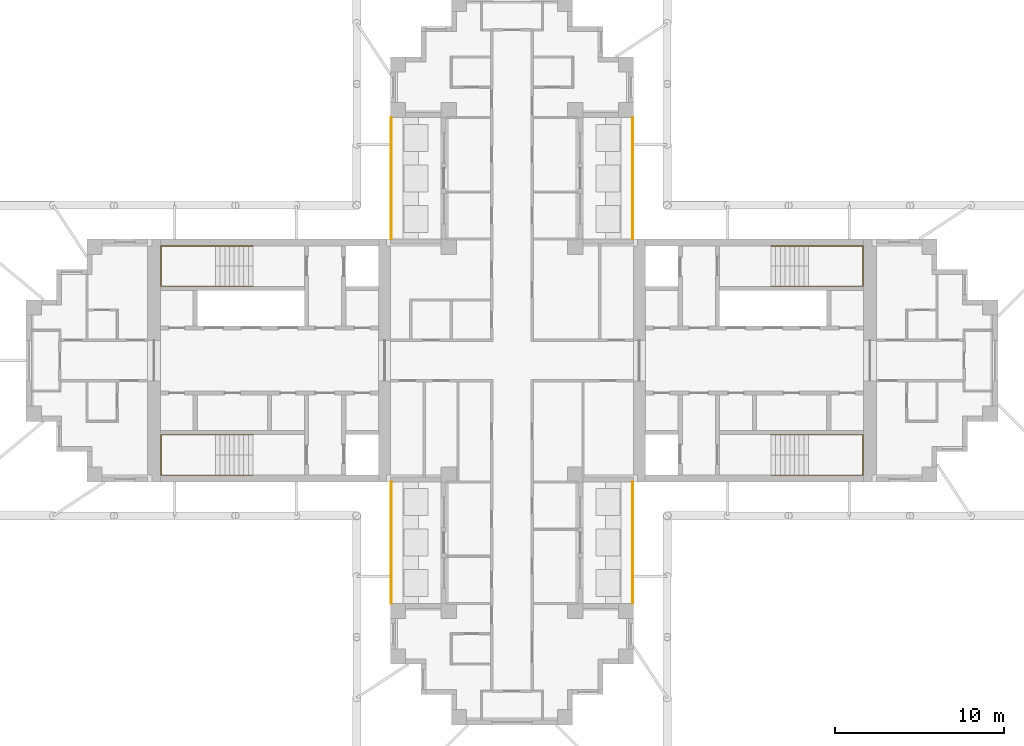
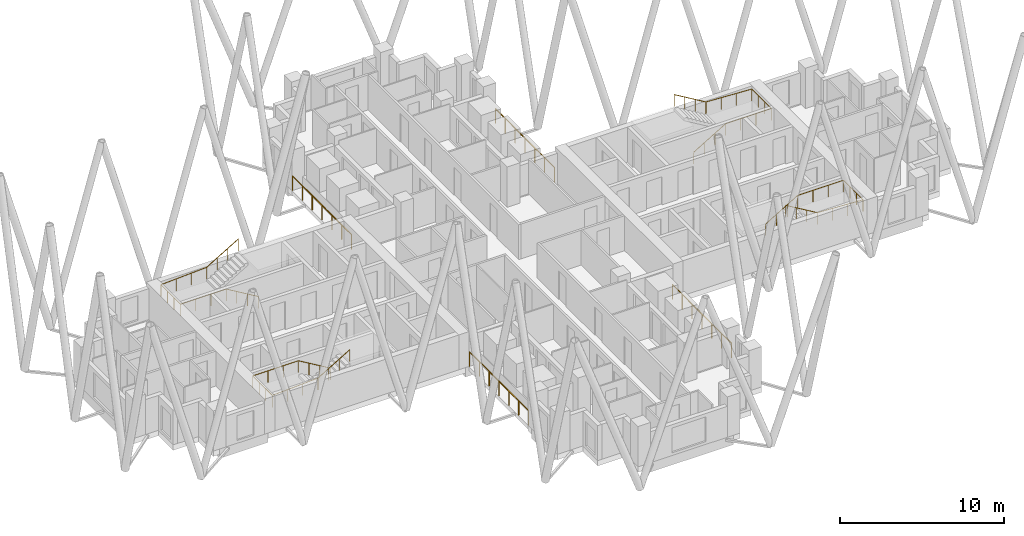
# One storey, part 10 of 11: 8 railings.
"""IFC4 building model written with IfcOpenShell, lengths in metres."""

from ifc_helpers import new_model, si_unit, direction, frame, origin, origin_2d, place, context, subcontext, project, spatial, circle, extrude, material, type_object, element, save


model = new_model("IFC4")

# Units and contexts
model_context = context("Model", 3, precision=1e-05, world=origin(), true_north=direction((0.0, 1.0)))
body_context = subcontext(model_context, "Body", "Model", "MODEL_VIEW")
ifc_project = project(units=[si_unit("LENGTHUNIT", "METRE"), si_unit("AREAUNIT", "SQUARE_METRE"), si_unit("VOLUMEUNIT", "CUBIC_METRE"), si_unit("PLANEANGLEUNIT", "RADIAN"), si_unit("MASSUNIT", "GRAM", prefix="KILO")], contexts=[model_context])

# Site, building, storey
site_placement = place(None, origin())
site = spatial("IfcSite", under=ifc_project, at=site_placement, CompositionType="ELEMENT")
building_placement = place(site_placement, origin())
building = spatial("IfcBuilding", under=site, at=building_placement, Name="Fustian Cross Tower", CompositionType="ELEMENT")
storey_placement = place(building_placement, frame((0.0, 0.0, 234.89990234375)))
storey = spatial("IfcBuildingStorey", under=building, at=storey_placement, Name="L74", CompositionType="ELEMENT", Elevation=234.89990234375)

# Railings
ifc_material_1 = material(Name="Stainless steel and glass", Category="steel")
railing_type_1 = type_object("IfcRailingType", Name="GR1 BALCONY GUARD 1100", PredefinedType="GUARDRAIL", material=ifc_material_1)
for number, where, name in (
    (1, (7.14990234375, 7.199951171875, 0.0), "Balcony guard"),
    (2, (-7.14990234375, 7.199951171875, 0.0), "Balcony guard"),
    (3, (7.14990234375, -14.39990234375, 0.0), "Balcony guard"),
    (4, (-7.14990234375, -14.39990234375, 0.0), "Balcony guard"),
):
    element("IfcRailing", number, at=place(storey_placement, frame(where)), inside=storey, type_object=railing_type_1, Name=name, PredefinedType="GUARDRAIL", context=body_context, shape_type="SweptSolid", body=[
        extrude(circle(Radius=0.02392578125, at=origin_2d()), frame((0.0, 0.0, 1.076171875), z_axis=(0.0, 1.0, 0.0), x_axis=(-1.0, 0.0, 0.0)), (0.0, 0.0, 1.0), 7.199951171875),
        extrude(circle(Radius=0.02099609375, at=origin_2d()), origin(), (0.0, 0.0, 1.0), 1.052001953125),
        extrude(circle(Radius=0.02099609375, at=origin_2d()), frame((0.0, 1.199951171875, 0.0)), (0.0, 0.0, 1.0), 1.052001953125),
        extrude(circle(Radius=0.02099609375, at=origin_2d()), frame((0.0, 2.39990234375, 0.0)), (0.0, 0.0, 1.0), 1.052001953125),
        extrude(circle(Radius=0.02099609375, at=origin_2d()), frame((0.0, 3.60009765625, 0.0)), (0.0, 0.0, 1.0), 1.052001953125),
        extrude(circle(Radius=0.02099609375, at=origin_2d()), frame((0.0, 4.800048828125, 0.0)), (0.0, 0.0, 1.0), 1.052001953125),
        extrude(circle(Radius=0.02099609375, at=origin_2d()), frame((0.0, 6.0, 0.0)), (0.0, 0.0, 1.0), 1.052001953125),
        extrude(circle(Radius=0.02099609375, at=origin_2d()), frame((0.0, 7.199951171875, 0.0)), (0.0, 0.0, 1.0), 1.052001953125),
    ])
ifc_material_2 = material(Name="Stainless steel", Category="steel")
railing_type_2 = type_object("IfcRailingType", Name="STAIR HANDRAIL", PredefinedType="HANDRAIL", material=ifc_material_2)
railing_1_placement = place(storey_placement, frame((15.35009765625, 4.39990234375, 0.166748046875)))
element("IfcRailing", 5, at=railing_1_placement, inside=storey, type_object=railing_type_2, Name="Stair ST1 handrail 1", PredefinedType="HANDRAIL", context=body_context, shape_type="SweptSolid", body=[
    extrude(circle(Radius=0.02490234375, at=origin_2d()), frame((0.0, 0.0, 0.875), z_axis=(0.859305625298, 0.0, 0.511462454469), x_axis=(0.0, 1.0, 0.0)), (0.0, 0.0, 1.0), 2.606689453125),
    extrude(circle(Radius=0.02490234375, at=origin_2d()), frame((2.239990234375, 0.0, 2.2080078125), z_axis=(1.0, 0.0, 0.0), x_axis=(0.0, 1.0, 0.0)), (0.0, 0.0, 1.0), 3.219970703125),
    extrude(circle(Radius=0.02490234375, at=origin_2d()), frame((5.4599609375, 0.0, 2.2080078125), z_axis=(0.0, 1.0, 0.0), x_axis=(-1.0, 0.0, 0.0)), (0.0, 0.0, 1.0), 2.400146484375),
    extrude(circle(Radius=0.02490234375, at=origin_2d()), frame((5.4599609375, 2.400146484375, 2.2080078125), z_axis=(-0.998661817807, 0.0, 0.051716280352), x_axis=(0.0, -1.0, 0.0)), (0.0, 0.0, 1.0), 3.224365234375),
    extrude(circle(Radius=0.02490234375, at=origin_2d()), frame((2.239990234375, 2.400146484375, 2.375), z_axis=(-0.859305625298, 0.0, 0.511462454469), x_axis=(0.0, -1.0, 0.0)), (0.0, 0.0, 1.0), 2.606689453125),
    extrude(circle(Radius=0.02001953125, at=origin_2d()), origin(), (0.0, 0.0, 1.0), 0.849853515625),
    extrude(circle(Radius=0.02001953125, at=origin_2d()), frame((0.74658203125, 0.0, 0.4443359375)), (0.0, 0.0, 1.0), 0.849853515625),
    extrude(circle(Radius=0.02001953125, at=origin_2d()), frame((1.493408203125, 0.0, 0.888916015625)), (0.0, 0.0, 1.0), 0.849853515625),
    extrude(circle(Radius=0.02001953125, at=origin_2d()), frame((2.239990234375, 0.0, 1.333251953125)), (0.0, 0.0, 1.0), 0.849853515625),
    extrude(circle(Radius=0.02001953125, at=origin_2d()), frame((3.313232421875, 0.0, 1.333251953125)), (0.0, 0.0, 1.0), 0.849853515625),
    extrude(circle(Radius=0.02001953125, at=origin_2d()), frame((4.38671875, 0.0, 1.333251953125)), (0.0, 0.0, 1.0), 0.849853515625),
    extrude(circle(Radius=0.02001953125, at=origin_2d()), frame((5.4599609375, 0.0, 1.333251953125)), (0.0, 0.0, 1.0), 0.849853515625),
    extrude(circle(Radius=0.02001953125, at=origin_2d()), frame((5.4599609375, 0.800048828125, 1.333251953125)), (0.0, 0.0, 1.0), 0.849853515625),
    extrude(circle(Radius=0.02001953125, at=origin_2d()), frame((5.4599609375, 1.60009765625, 1.333251953125)), (0.0, 0.0, 1.0), 0.849853515625),
    extrude(circle(Radius=0.02001953125, at=origin_2d()), frame((5.4599609375, 2.400146484375, 1.333251953125)), (0.0, 0.0, 1.0), 0.849853515625),
    extrude(circle(Radius=0.02001953125, at=origin_2d()), frame((4.38671875, 2.400146484375, 1.388916015625)), (0.0, 0.0, 1.0), 0.849853515625),
    extrude(circle(Radius=0.02001953125, at=origin_2d()), frame((3.313232421875, 2.400146484375, 1.4443359375)), (0.0, 0.0, 1.0), 0.849853515625),
    extrude(circle(Radius=0.02001953125, at=origin_2d()), frame((2.239990234375, 2.400146484375, 1.5)), (0.0, 0.0, 1.0), 0.849853515625),
    extrude(circle(Radius=0.02001953125, at=origin_2d()), frame((1.493408203125, 2.400146484375, 1.9443359375)), (0.0, 0.0, 1.0), 0.849853515625),
    extrude(circle(Radius=0.02001953125, at=origin_2d()), frame((0.74658203125, 2.400146484375, 2.388916015625)), (0.0, 0.0, 1.0), 0.849853515625),
    extrude(circle(Radius=0.02001953125, at=origin_2d()), frame((0.0, 2.400146484375, 2.833251953125)), (0.0, 0.0, 1.0), 0.849853515625),
])
railing_2_placement = place(storey_placement, frame((15.35009765625, -4.39990234375, 0.166748046875)))
element("IfcRailing", 6, at=railing_2_placement, inside=storey, type_object=railing_type_2, Name="Stair ST2 handrail 1", PredefinedType="HANDRAIL", context=body_context, shape_type="SweptSolid", body=[
    extrude(circle(Radius=0.02490234375, at=origin_2d()), frame((0.0, 0.0, 0.875), z_axis=(0.859305625298, 0.0, 0.511462454469), x_axis=(0.0, 1.0, 0.0)), (0.0, 0.0, 1.0), 2.606689453125),
    extrude(circle(Radius=0.02490234375, at=origin_2d()), frame((2.239990234375, 0.0, 2.2080078125), z_axis=(1.0, 0.0, 0.0), x_axis=(0.0, 1.0, 0.0)), (0.0, 0.0, 1.0), 3.219970703125),
    extrude(circle(Radius=0.02490234375, at=origin_2d()), frame((5.4599609375, 0.0, 2.2080078125), z_axis=(0.0, -1.0, 0.0), x_axis=(1.0, 0.0, 0.0)), (0.0, 0.0, 1.0), 2.400146484375),
    extrude(circle(Radius=0.02490234375, at=origin_2d()), frame((5.4599609375, -2.400146484375, 2.2080078125), z_axis=(-0.998661817807, 0.0, 0.051716280352), x_axis=(0.0, -1.0, 0.0)), (0.0, 0.0, 1.0), 3.224365234375),
    extrude(circle(Radius=0.02490234375, at=origin_2d()), frame((2.239990234375, -2.400146484375, 2.375), z_axis=(-0.859305625298, 0.0, 0.511462454469), x_axis=(0.0, -1.0, 0.0)), (0.0, 0.0, 1.0), 2.606689453125),
    extrude(circle(Radius=0.02001953125, at=origin_2d()), origin(), (0.0, 0.0, 1.0), 0.849853515625),
    extrude(circle(Radius=0.02001953125, at=origin_2d()), frame((0.74658203125, 0.0, 0.4443359375)), (0.0, 0.0, 1.0), 0.849853515625),
    extrude(circle(Radius=0.02001953125, at=origin_2d()), frame((1.493408203125, 0.0, 0.888916015625)), (0.0, 0.0, 1.0), 0.849853515625),
    extrude(circle(Radius=0.02001953125, at=origin_2d()), frame((2.239990234375, 0.0, 1.333251953125)), (0.0, 0.0, 1.0), 0.849853515625),
    extrude(circle(Radius=0.02001953125, at=origin_2d()), frame((3.313232421875, 0.0, 1.333251953125)), (0.0, 0.0, 1.0), 0.849853515625),
    extrude(circle(Radius=0.02001953125, at=origin_2d()), frame((4.38671875, 0.0, 1.333251953125)), (0.0, 0.0, 1.0), 0.849853515625),
    extrude(circle(Radius=0.02001953125, at=origin_2d()), frame((5.4599609375, 0.0, 1.333251953125)), (0.0, 0.0, 1.0), 0.849853515625),
    extrude(circle(Radius=0.02001953125, at=origin_2d()), frame((5.4599609375, -0.800048828125, 1.333251953125)), (0.0, 0.0, 1.0), 0.849853515625),
    extrude(circle(Radius=0.02001953125, at=origin_2d()), frame((5.4599609375, -1.60009765625, 1.333251953125)), (0.0, 0.0, 1.0), 0.849853515625),
    extrude(circle(Radius=0.02001953125, at=origin_2d()), frame((5.4599609375, -2.400146484375, 1.333251953125)), (0.0, 0.0, 1.0), 0.849853515625),
    extrude(circle(Radius=0.02001953125, at=origin_2d()), frame((4.38671875, -2.400146484375, 1.388916015625)), (0.0, 0.0, 1.0), 0.849853515625),
    extrude(circle(Radius=0.02001953125, at=origin_2d()), frame((3.313232421875, -2.400146484375, 1.4443359375)), (0.0, 0.0, 1.0), 0.849853515625),
    extrude(circle(Radius=0.02001953125, at=origin_2d()), frame((2.239990234375, -2.400146484375, 1.5)), (0.0, 0.0, 1.0), 0.849853515625),
    extrude(circle(Radius=0.02001953125, at=origin_2d()), frame((1.493408203125, -2.400146484375, 1.9443359375)), (0.0, 0.0, 1.0), 0.849853515625),
    extrude(circle(Radius=0.02001953125, at=origin_2d()), frame((0.74658203125, -2.400146484375, 2.388916015625)), (0.0, 0.0, 1.0), 0.849853515625),
    extrude(circle(Radius=0.02001953125, at=origin_2d()), frame((0.0, -2.400146484375, 2.833251953125)), (0.0, 0.0, 1.0), 0.849853515625),
])
railing_3_placement = place(storey_placement, frame((-15.35009765625, 4.39990234375, 0.166748046875)))
element("IfcRailing", 7, at=railing_3_placement, inside=storey, type_object=railing_type_2, Name="Stair ST3 handrail 1", PredefinedType="HANDRAIL", context=body_context, shape_type="SweptSolid", body=[
    extrude(circle(Radius=0.02490234375, at=origin_2d()), frame((0.0, 0.0, 0.875), z_axis=(-0.859305625298, 0.0, 0.511462454469), x_axis=(0.0, -1.0, 0.0)), (0.0, 0.0, 1.0), 2.606689453125),
    extrude(circle(Radius=0.02490234375, at=origin_2d()), frame((-2.239990234375, 0.0, 2.2080078125), z_axis=(-1.0, 0.0, 0.0), x_axis=(0.0, -1.0, 0.0)), (0.0, 0.0, 1.0), 3.219970703125),
    extrude(circle(Radius=0.02490234375, at=origin_2d()), frame((-5.4599609375, 0.0, 2.2080078125), z_axis=(0.0, 1.0, 0.0), x_axis=(-1.0, 0.0, 0.0)), (0.0, 0.0, 1.0), 2.400146484375),
    extrude(circle(Radius=0.02490234375, at=origin_2d()), frame((-5.4599609375, 2.400146484375, 2.2080078125), z_axis=(0.998661817807, 0.0, 0.051716280352), x_axis=(0.0, 1.0, 0.0)), (0.0, 0.0, 1.0), 3.224365234375),
    extrude(circle(Radius=0.02490234375, at=origin_2d()), frame((-2.239990234375, 2.400146484375, 2.375), z_axis=(0.859305625298, 0.0, 0.511462454469), x_axis=(0.0, 1.0, 0.0)), (0.0, 0.0, 1.0), 2.606689453125),
    extrude(circle(Radius=0.02001953125, at=origin_2d()), origin(), (0.0, 0.0, 1.0), 0.849853515625),
    extrude(circle(Radius=0.02001953125, at=origin_2d()), frame((-0.74658203125, 0.0, 0.4443359375)), (0.0, 0.0, 1.0), 0.849853515625),
    extrude(circle(Radius=0.02001953125, at=origin_2d()), frame((-1.493408203125, 0.0, 0.888916015625)), (0.0, 0.0, 1.0), 0.849853515625),
    extrude(circle(Radius=0.02001953125, at=origin_2d()), frame((-2.239990234375, 0.0, 1.333251953125)), (0.0, 0.0, 1.0), 0.849853515625),
    extrude(circle(Radius=0.02001953125, at=origin_2d()), frame((-3.313232421875, 0.0, 1.333251953125)), (0.0, 0.0, 1.0), 0.849853515625),
    extrude(circle(Radius=0.02001953125, at=origin_2d()), frame((-4.38671875, 0.0, 1.333251953125)), (0.0, 0.0, 1.0), 0.849853515625),
    extrude(circle(Radius=0.02001953125, at=origin_2d()), frame((-5.4599609375, 0.0, 1.333251953125)), (0.0, 0.0, 1.0), 0.849853515625),
    extrude(circle(Radius=0.02001953125, at=origin_2d()), frame((-5.4599609375, 0.800048828125, 1.333251953125)), (0.0, 0.0, 1.0), 0.849853515625),
    extrude(circle(Radius=0.02001953125, at=origin_2d()), frame((-5.4599609375, 1.60009765625, 1.333251953125)), (0.0, 0.0, 1.0), 0.849853515625),
    extrude(circle(Radius=0.02001953125, at=origin_2d()), frame((-5.4599609375, 2.400146484375, 1.333251953125)), (0.0, 0.0, 1.0), 0.849853515625),
    extrude(circle(Radius=0.02001953125, at=origin_2d()), frame((-4.38671875, 2.400146484375, 1.388916015625)), (0.0, 0.0, 1.0), 0.849853515625),
    extrude(circle(Radius=0.02001953125, at=origin_2d()), frame((-3.313232421875, 2.400146484375, 1.4443359375)), (0.0, 0.0, 1.0), 0.849853515625),
    extrude(circle(Radius=0.02001953125, at=origin_2d()), frame((-2.239990234375, 2.400146484375, 1.5)), (0.0, 0.0, 1.0), 0.849853515625),
    extrude(circle(Radius=0.02001953125, at=origin_2d()), frame((-1.493408203125, 2.400146484375, 1.9443359375)), (0.0, 0.0, 1.0), 0.849853515625),
    extrude(circle(Radius=0.02001953125, at=origin_2d()), frame((-0.74658203125, 2.400146484375, 2.388916015625)), (0.0, 0.0, 1.0), 0.849853515625),
    extrude(circle(Radius=0.02001953125, at=origin_2d()), frame((0.0, 2.400146484375, 2.833251953125)), (0.0, 0.0, 1.0), 0.849853515625),
])
railing_4_placement = place(storey_placement, frame((-15.35009765625, -4.39990234375, 0.166748046875)))
element("IfcRailing", 8, at=railing_4_placement, inside=storey, type_object=railing_type_2, Name="Stair ST4 handrail 1", PredefinedType="HANDRAIL", context=body_context, shape_type="SweptSolid", body=[
    extrude(circle(Radius=0.02490234375, at=origin_2d()), frame((0.0, 0.0, 0.875), z_axis=(-0.859305625298, 0.0, 0.511462454469), x_axis=(0.0, -1.0, 0.0)), (0.0, 0.0, 1.0), 2.606689453125),
    extrude(circle(Radius=0.02490234375, at=origin_2d()), frame((-2.239990234375, 0.0, 2.2080078125), z_axis=(-1.0, 0.0, 0.0), x_axis=(0.0, -1.0, 0.0)), (0.0, 0.0, 1.0), 3.219970703125),
    extrude(circle(Radius=0.02490234375, at=origin_2d()), frame((-5.4599609375, 0.0, 2.2080078125), z_axis=(0.0, -1.0, 0.0), x_axis=(1.0, 0.0, 0.0)), (0.0, 0.0, 1.0), 2.400146484375),
    extrude(circle(Radius=0.02490234375, at=origin_2d()), frame((-5.4599609375, -2.400146484375, 2.2080078125), z_axis=(0.998661817807, 0.0, 0.051716280352), x_axis=(0.0, 1.0, 0.0)), (0.0, 0.0, 1.0), 3.224365234375),
    extrude(circle(Radius=0.02490234375, at=origin_2d()), frame((-2.239990234375, -2.400146484375, 2.375), z_axis=(0.859305625298, 0.0, 0.511462454469), x_axis=(0.0, 1.0, 0.0)), (0.0, 0.0, 1.0), 2.606689453125),
    extrude(circle(Radius=0.02001953125, at=origin_2d()), origin(), (0.0, 0.0, 1.0), 0.849853515625),
    extrude(circle(Radius=0.02001953125, at=origin_2d()), frame((-0.74658203125, 0.0, 0.4443359375)), (0.0, 0.0, 1.0), 0.849853515625),
    extrude(circle(Radius=0.02001953125, at=origin_2d()), frame((-1.493408203125, 0.0, 0.888916015625)), (0.0, 0.0, 1.0), 0.849853515625),
    extrude(circle(Radius=0.02001953125, at=origin_2d()), frame((-2.239990234375, 0.0, 1.333251953125)), (0.0, 0.0, 1.0), 0.849853515625),
    extrude(circle(Radius=0.02001953125, at=origin_2d()), frame((-3.313232421875, 0.0, 1.333251953125)), (0.0, 0.0, 1.0), 0.849853515625),
    extrude(circle(Radius=0.02001953125, at=origin_2d()), frame((-4.38671875, 0.0, 1.333251953125)), (0.0, 0.0, 1.0), 0.849853515625),
    extrude(circle(Radius=0.02001953125, at=origin_2d()), frame((-5.4599609375, 0.0, 1.333251953125)), (0.0, 0.0, 1.0), 0.849853515625),
    extrude(circle(Radius=0.02001953125, at=origin_2d()), frame((-5.4599609375, -0.800048828125, 1.333251953125)), (0.0, 0.0, 1.0), 0.849853515625),
    extrude(circle(Radius=0.02001953125, at=origin_2d()), frame((-5.4599609375, -1.60009765625, 1.333251953125)), (0.0, 0.0, 1.0), 0.849853515625),
    extrude(circle(Radius=0.02001953125, at=origin_2d()), frame((-5.4599609375, -2.400146484375, 1.333251953125)), (0.0, 0.0, 1.0), 0.849853515625),
    extrude(circle(Radius=0.02001953125, at=origin_2d()), frame((-4.38671875, -2.400146484375, 1.388916015625)), (0.0, 0.0, 1.0), 0.849853515625),
    extrude(circle(Radius=0.02001953125, at=origin_2d()), frame((-3.313232421875, -2.400146484375, 1.4443359375)), (0.0, 0.0, 1.0), 0.849853515625),
    extrude(circle(Radius=0.02001953125, at=origin_2d()), frame((-2.239990234375, -2.400146484375, 1.5)), (0.0, 0.0, 1.0), 0.849853515625),
    extrude(circle(Radius=0.02001953125, at=origin_2d()), frame((-1.493408203125, -2.400146484375, 1.9443359375)), (0.0, 0.0, 1.0), 0.849853515625),
    extrude(circle(Radius=0.02001953125, at=origin_2d()), frame((-0.74658203125, -2.400146484375, 2.388916015625)), (0.0, 0.0, 1.0), 0.849853515625),
    extrude(circle(Radius=0.02001953125, at=origin_2d()), frame((0.0, -2.400146484375, 2.833251953125)), (0.0, 0.0, 1.0), 0.849853515625),
])

save(model, "model.ifc")
